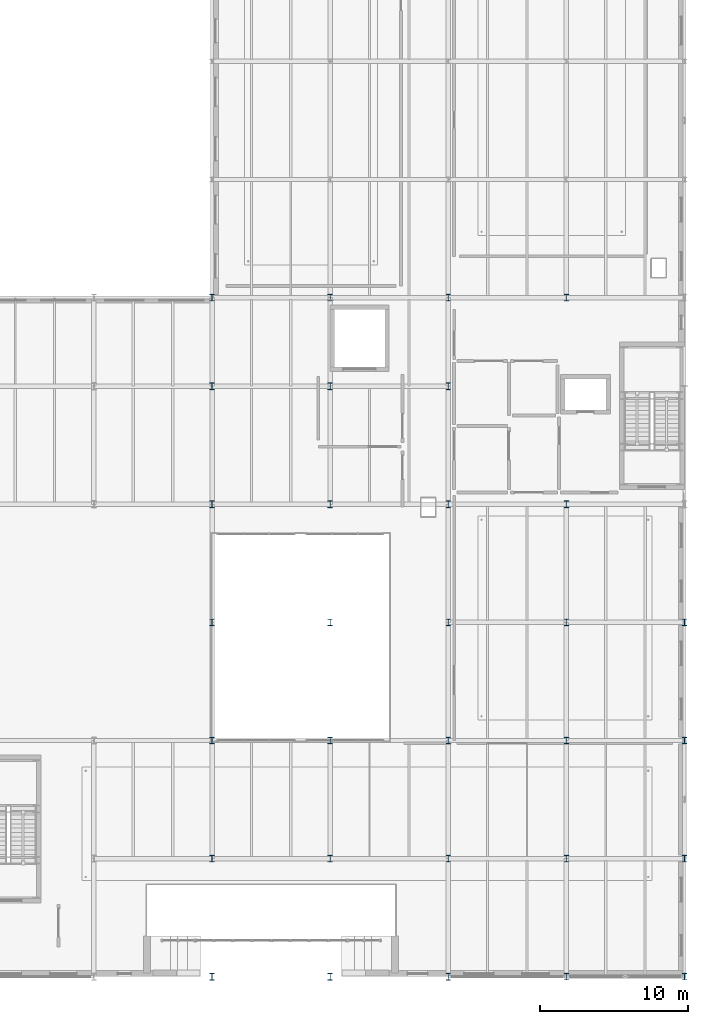
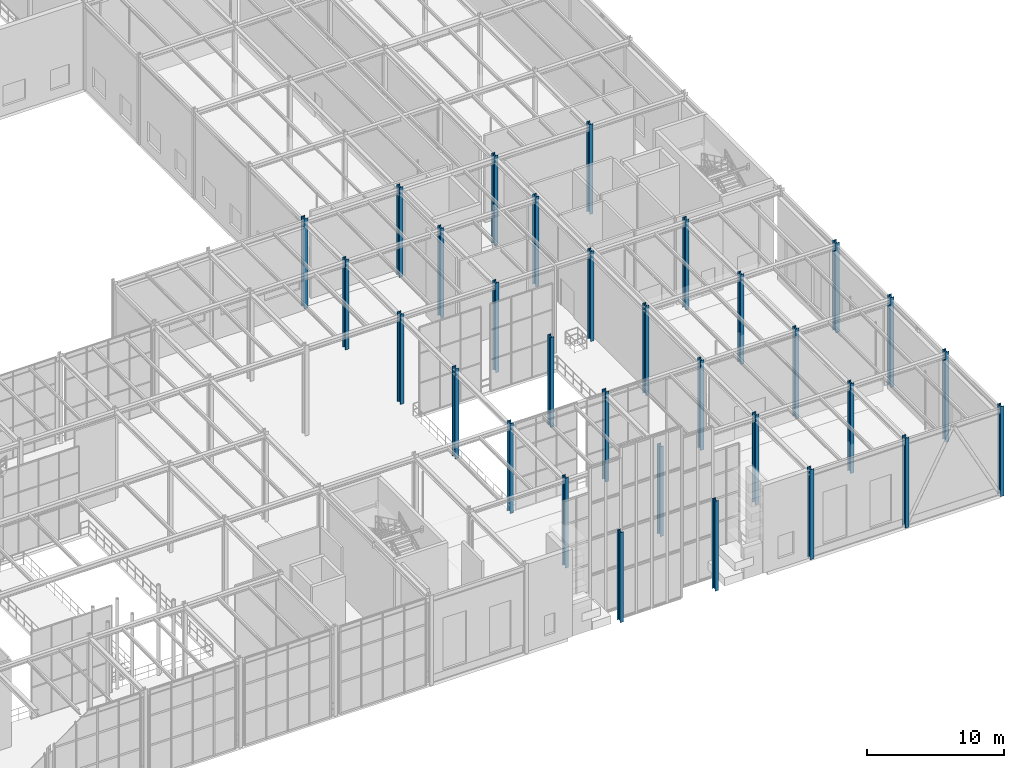
# One storey, part 15 of 138: 31 columns.
"""IFC4 building model written with IfcOpenShell, lengths in metres."""

import ifcopenshell
import ifcopenshell.guid

model = None  # the IFC model being written
_history = None  # IfcOwnerHistory: only IFC2X3 demands one
_inside = {}  # id of a spatial element -> (the spatial element, [elements in it])
_under = {}  # id of a project, library or spatial element -> (it, [spatial elements below it])
_declared = {}  # id of a project -> (the project, [libraries it declares])
_typed = {}  # id of a type object -> (the type object, [elements of that type])
_made_of = {}  # id of a material, layer set ... -> (it, [elements and type objects made of it])


def new_model(schema):
    """Start an empty IFC model of exactly this schema.

    Asked for "IFC4X3", IfcOpenShell would pick the latest addendum, in which some entities
    have other attributes; the version numbers below select the first issue.
    IFC2X3 requires an IfcOwnerHistory on every rooted entity: one is made here for all.
    """
    global model, _history
    if schema == "IFC4X3":
        model = ifcopenshell.file(schema_version=(4, 3, 0, 0))
    else:
        model = ifcopenshell.file(schema=schema)
    _inside.clear()
    _under.clear()
    _declared.clear()
    _typed.clear()
    _made_of.clear()
    _history = None
    if model.schema == "IFC2X3":
        org = make("IfcOrganization", Name="unknown")
        user = make(
            "IfcPersonAndOrganization",
            ThePerson=make("IfcPerson", FamilyName="unknown"),
            TheOrganization=org,
        )
        app = make(
            "IfcApplication",
            ApplicationDeveloper=org,
            Version="unknown",
            ApplicationFullName="unknown",
            ApplicationIdentifier="unknown",
        )
        _history = make(
            "IfcOwnerHistory",
            OwningUser=user,
            OwningApplication=app,
            ChangeAction="ADDED",
            CreationDate=0,
        )
    return model


def make(cls, **values):
    """One entity of the class cls with the attributes given. An attribute that is None is left unset."""
    return model.create_entity(
        cls, **{name: value for name, value in values.items() if value is not None}
    )


def rooted(cls, **values):
    """An entity with a GlobalId (a new one), such as an element, a storey or a relation."""
    return make(cls, GlobalId=ifcopenshell.guid.new(), OwnerHistory=_history, **values)


def si_unit(unit_type, name, prefix=None):
    """IfcSIUnit, for example si_unit("LENGTHUNIT", "METRE", prefix="MILLI")."""
    return make("IfcSIUnit", UnitType=unit_type, Prefix=prefix, Name=name)


def assignment(units):
    """IfcUnitAssignment: the units of a project."""
    return None if units is None else make("IfcUnitAssignment", Units=units)


def point(xyz):
    """IfcCartesianPoint."""
    return None if xyz is None else make("IfcCartesianPoint", Coordinates=xyz)


def direction(xyz):
    """IfcDirection."""
    return None if xyz is None else make("IfcDirection", DirectionRatios=xyz)


def frame(location, z_axis=None, x_axis=None):
    """IfcAxis2Placement3D, a coordinate frame: its origin and axes. An axis left out is left unset."""
    return make(
        "IfcAxis2Placement3D",
        Location=point(location),
        Axis=direction(z_axis),
        RefDirection=direction(x_axis),
    )


def frame_2d(location, x_axis=None):
    """IfcAxis2Placement2D, a coordinate frame in the plane: its origin and x axis."""
    return make(
        "IfcAxis2Placement2D", Location=point(location), RefDirection=direction(x_axis)
    )


def origin():
    """The frame at (0, 0, 0) with its axes left unset."""
    return frame((0.0, 0.0, 0.0))


def origin_2d():
    """The frame at (0, 0) in the plane with its x axis left unset."""
    return frame_2d((0.0, 0.0))


def place(relative_to, where):
    """IfcLocalPlacement: puts the frame where relative to a parent placement (None: the world)."""
    return make(
        "IfcLocalPlacement", PlacementRelTo=relative_to, RelativePlacement=where
    )


def context(
    kind, dimensions, precision=None, world=None, true_north=None, identifier=None
):
    """IfcGeometricRepresentationContext, for example the 3D "Model" context."""
    return make(
        "IfcGeometricRepresentationContext",
        ContextIdentifier=identifier,
        ContextType=kind,
        CoordinateSpaceDimension=dimensions,
        Precision=precision,
        WorldCoordinateSystem=world,
        TrueNorth=true_north,
    )


def subcontext(parent, identifier, kind, view, scale=None):
    """IfcGeometricRepresentationSubContext, for example "Body" below "Model"."""
    return make(
        "IfcGeometricRepresentationSubContext",
        ContextIdentifier=identifier,
        ContextType=kind,
        ParentContext=parent,
        TargetScale=scale,
        TargetView=view,
    )


def project(units=None, contexts=None):
    """IfcProject with its units and contexts."""
    return rooted(
        "IfcProject",
        Name="project",
        RepresentationContexts=contexts,
        UnitsInContext=assignment(units),
    )


def spatial(cls, under=None, at=None, **own):
    """A site, building, storey or space (cls), placed at a placement, below another one or the project."""
    s = rooted(cls, ObjectPlacement=at, **own)
    if under is not None:
        _under.setdefault(under.id(), (under, []))[1].append(s)
    return s


def profile(cls, at=None, kind="AREA", **sizes):
    """A parametric profile (cls). Its sizes go by their IFC names, for example OverallWidth=200.0."""
    return make(cls, ProfileType=kind, Position=at, **sizes)


def i_section(**sizes):
    """IfcIShapeProfileDef."""
    return profile("IfcIShapeProfileDef", **sizes)


def extrude(swept, where, along, depth):
    """IfcExtrudedAreaSolid: the profile swept, set in the frame where, extruded along a direction by depth."""
    return make(
        "IfcExtrudedAreaSolid",
        SweptArea=swept,
        Position=where,
        ExtrudedDirection=direction(along),
        Depth=depth,
    )


def shape(context_of_items, identifier, shape_type, items):
    """IfcShapeRepresentation: the items that make up one representation, for example the "Body"."""
    return make(
        "IfcShapeRepresentation",
        ContextOfItems=context_of_items,
        RepresentationIdentifier=identifier,
        RepresentationType=shape_type,
        Items=items,
    )


def material(Name=None, Category=None):
    """IfcMaterial."""
    return make("IfcMaterial", Name=Name, Category=Category)


def material_profile(
    of_material, cross_section, Name=None, Category=None, Priority=None
):
    """IfcMaterialProfile: a cross section and its material."""
    return make(
        "IfcMaterialProfile",
        Name=Name,
        Material=of_material,
        Profile=cross_section,
        Priority=Priority,
        Category=Category,
    )


def profile_set(profiles, Name=None, composite=None):
    """IfcMaterialProfileSet."""
    return make(
        "IfcMaterialProfileSet",
        Name=Name,
        MaterialProfiles=profiles,
        CompositeProfile=composite,
    )


def made_of(thing, what):
    """Note that an element or type object is made of a material, layer set ...; save() writes the relation."""
    if what is not None:
        _made_of.setdefault(what.id(), (what, []))[1].append(thing)
    return thing


def type_object(cls, material=None, **own):
    """A type object (cls), such as IfcWallType, which elements share."""
    return made_of(rooted(cls, **own), material)


def element(
    cls,
    number,
    at=None,
    inside=None,
    cuts=None,
    type_object=None,
    material=None,
    context=None,
    identifier="Body",
    shape_type=None,
    held_by="IfcProductDefinitionShape",
    body=None,
    shapes=None,
    **own,
):
    """One element of the class cls, such as IfcWall. Its Tag is "e" and its number.

    at: its placement. inside: the storey or other place that contains it. cuts: it is an
    opening in that element (IfcRelVoidsElement). A single representation is given by context,
    identifier, shape_type and body (its items); several are given by shapes. held_by: the class
    of the entity that holds the representations. save() writes the other relations.
    """
    e = rooted(cls, Tag="e%d" % number, ObjectPlacement=at, **own)
    if body is not None:
        shapes = [shape(context, identifier, shape_type, body)]
    if shapes is not None:
        e.Representation = make(held_by, Representations=shapes)
    if inside is not None:
        _inside.setdefault(inside.id(), (inside, []))[1].append(e)
    if cuts is not None:
        rooted(
            "IfcRelVoidsElement", RelatingBuildingElement=cuts, RelatedOpeningElement=e
        )
    if type_object is not None:
        _typed.setdefault(type_object.id(), (type_object, []))[1].append(e)
    return made_of(e, material)


def aggregate(whole, parts):
    """IfcRelAggregates: a whole, such as a stair, and the parts it consists of."""
    return rooted("IfcRelAggregates", RelatingObject=whole, RelatedObjects=parts)


def save(model, path):
    """Write the relations noted so far, then the file.

    IfcRelAggregates (storeys below a building ...), IfcRelContainedInSpatialStructure (elements
    in a storey), IfcRelDefinesByType, IfcRelAssociatesMaterial and IfcRelDeclares: one each for
    every whole, place, type object, material and project.
    """
    for whole, parts in _under.values():
        aggregate(whole, parts)
    for where, things in _inside.values():
        rooted(
            "IfcRelContainedInSpatialStructure",
            RelatedElements=things,
            RelatingStructure=where,
        )
    for kind, things in _typed.values():
        rooted("IfcRelDefinesByType", RelatedObjects=things, RelatingType=kind)
    for what, things in _made_of.values():
        rooted("IfcRelAssociatesMaterial", RelatedObjects=things, RelatingMaterial=what)
    for by, libraries in _declared.values():
        rooted("IfcRelDeclares", RelatingContext=by, RelatedDefinitions=libraries)
    model.write(path)


model = new_model("IFC4")

# Units and contexts
model_context = context("Model", 3, precision=1e-05, world=origin(), true_north=direction((0.0, 1.0)))
body_context = subcontext(model_context, "Body", "Model", "MODEL_VIEW")
ifc_project = project(units=[si_unit("LENGTHUNIT", "METRE"), si_unit("AREAUNIT", "SQUARE_METRE"), si_unit("VOLUMEUNIT", "CUBIC_METRE"), si_unit("PLANEANGLEUNIT", "RADIAN"), si_unit("MASSUNIT", "GRAM", prefix="KILO")], contexts=[model_context])

# Site, building, storey
site_placement = place(None, origin())
site = spatial("IfcSite", under=ifc_project, at=site_placement, CompositionType="ELEMENT")
building_placement = place(site_placement, origin())
building = spatial("IfcBuilding", under=site, at=building_placement, Name="Sundkrona Museum", CompositionType="ELEMENT")
storey_placement = place(building_placement, frame((0.0, 0.0, 9.60009765625)))
storey = spatial("IfcBuildingStorey", under=building, at=storey_placement, Name="L02", CompositionType="ELEMENT", Elevation=9.60009765625)

# Columns
ifc_material = material(Name="Steel S355J2", Category="steel")
ifc_material_profile = material_profile(ifc_material, i_section(OverallWidth=0.300048828125, OverallDepth=0.449951171875, WebThickness=0.013916015625, FlangeThickness=0.02587890625, FilletRadius=0.027099609375, at=origin_2d()), Name="HEB 450")
ifc_profile_set = profile_set([ifc_material_profile], Name="Steel S355J2")
column_type = type_object("IfcColumnType", Name="C-HEB450", PredefinedType="COLUMN", material=ifc_profile_set)
for number, where, z_axis, x_axis, name in (
    (1, (136.0, 0.0, 0.0), (0.0, 0.0, 1.0), (1.0, 0.0, 0.0), "L02 Column A/18"),
    (2, (136.0, 8.0, 0.0), (0.0, 0.0, 1.0), (1.0, 0.0, 0.0), "L02 Column B/18"),
    (3, (136.0, 16.0, 0.0), (0.0, 0.0, 1.0), (1.0, 0.0, 0.0), "L02 Column C/18"),
    (4, (136.0, 24.0, 0.0), (0.0, 0.0, 1.0), (1.0, 0.0, 0.0), "L02 Column D/18"),
    (5, (136.0, 32.0, 0.0), (0.0, 0.0, 1.0), (1.0, 0.0, 0.0), "L02 Column E/18"),
    (6, (136.0, 40.0, 0.0), (0.0, 0.0, 1.0), (1.0, 0.0, 0.0), "L02 Column F/18"),
    (7, (136.0, 46.0, 0.0), (0.0, 0.0, 1.0), (1.0, 0.0, 0.0), "L02 Column G/18"),
    (8, (144.0, 0.0, 0.0), (0.0, 0.0, 1.0), (1.0, 0.0, 0.0), "L02 Column A/19"),
    (9, (144.0, 8.0, 0.0), (0.0, 0.0, 1.0), (1.0, 0.0, 0.0), "L02 Column B/19"),
    (10, (144.0, 16.0, 0.0), (0.0, 0.0, 1.0), (1.0, 0.0, 0.0), "L02 Column C/19"),
    (11, (144.0, 24.0, 0.0), (0.0, 0.0, 1.0), (1.0, 0.0, 0.0), "L02 Column D/19"),
    (12, (144.0, 32.0, 0.0), (0.0, 0.0, 1.0), (1.0, 0.0, 0.0), "L02 Column E/19"),
    (13, (144.0, 40.0, 0.0), (0.0, 0.0, 1.0), (1.0, 0.0, 0.0), "L02 Column F/19"),
    (14, (144.0, 46.0, 0.0), (0.0, 0.0, 1.0), (1.0, 0.0, 0.0), "L02 Column G/19"),
    (15, (152.0, 0.0, 0.0), (0.0, 0.0, 1.0), (1.0, 0.0, 0.0), "L02 Column A/20"),
    (16, (152.0, 8.0, 0.0), (0.0, 0.0, 1.0), (1.0, 0.0, 0.0), "L02 Column B/20"),
    (17, (152.0, 16.0, 0.0), (0.0, 0.0, 1.0), (1.0, 0.0, 0.0), "L02 Column C/20"),
    (18, (152.0, 24.0, 0.0), (0.0, 0.0, 1.0), (1.0, 0.0, 0.0), "L02 Column D/20"),
    (19, (152.0, 32.0, 0.0), (0.0, 0.0, 1.0), (1.0, 0.0, 0.0), "L02 Column E/20"),
    (20, (152.0, 40.0, 0.0), (0.0, 0.0, 1.0), (1.0, 0.0, 0.0), "L02 Column F/20"),
    (21, (152.0, 46.0, 0.0), (0.0, 0.0, 1.0), (1.0, 0.0, 0.0), "L02 Column G/20"),
    (22, (160.0, 0.0, 0.0), (0.0, 0.0, 1.0), (1.0, 0.0, 0.0), "L02 Column A/21"),
    (23, (160.0, 8.0, 0.0), (0.0, 0.0, 1.0), (1.0, 0.0, 0.0), "L02 Column B/21"),
    (24, (160.0, 16.0, 0.0), (0.0, 0.0, 1.0), (1.0, 0.0, 0.0), "L02 Column C/21"),
    (25, (160.0, 24.0, 0.0), (0.0, 0.0, 1.0), (1.0, 0.0, 0.0), "L02 Column D/21"),
    (26, (160.0, 32.0, 0.0), (0.0, 0.0, 1.0), (1.0, 0.0, 0.0), "L02 Column E/21"),
    (27, (160.0, 46.0, 0.0), (0.0, 0.0, 1.0), (1.0, 0.0, 0.0), "L02 Column G/21"),
    (28, (168.0, 0.0, 0.0), (0.0, 0.0, 1.0), (1.0, 0.0, 0.0), "L02 Column A/22"),
    (29, (168.0, 8.0, 0.0), (0.0, 0.0, 1.0), (1.0, 0.0, 0.0), "L02 Column B/22"),
    (30, (168.0, 16.0, 0.0), (0.0, 0.0, 1.0), (1.0, 0.0, 0.0), "L02 Column C/22"),
    (31, (168.0, 24.0, 0.0), (0.0, 0.0, 1.0), (1.0, 0.0, 0.0), "L02 Column D/22"),
):
    element("IfcColumn", number, at=place(storey_placement, frame(where, z_axis=z_axis, x_axis=x_axis)), inside=storey, type_object=column_type, Name=name, PredefinedType="COLUMN", context=body_context, shape_type="SweptSolid", body=[
        extrude(i_section(OverallWidth=0.300048828125, OverallDepth=0.449951171875, WebThickness=0.013916015625, FlangeThickness=0.02587890625, FilletRadius=0.027099609375, at=origin_2d()), origin(), (0.0, 0.0, 1.0), 8.0),
    ])

save(model, "model.ifc")
